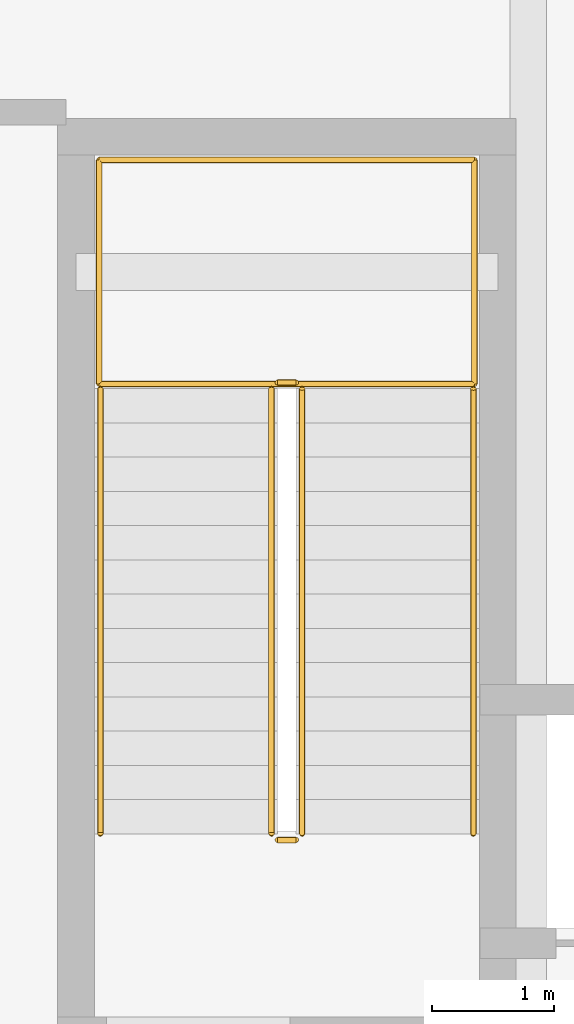
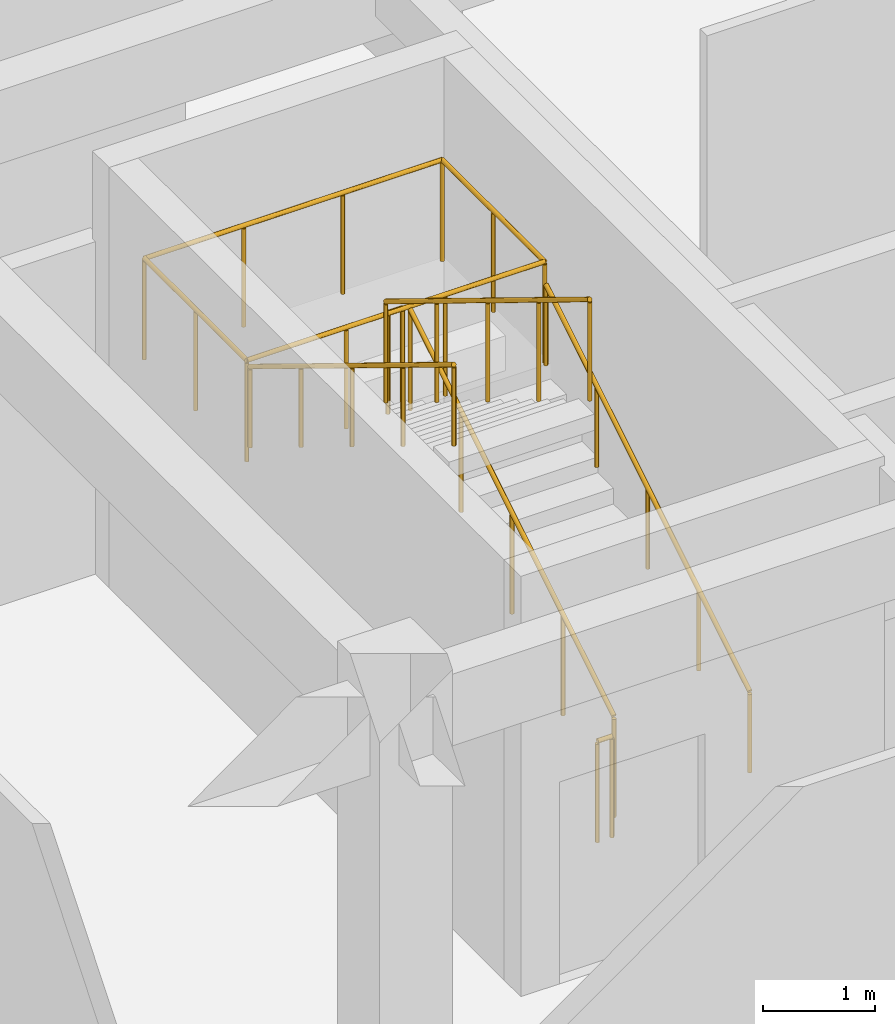
# One storey, part 67 of 68: 8 railings.
"""IFC4 building model written with IfcOpenShell, lengths in metres."""

from ifc_helpers import new_model, si_unit, direction, frame, origin, origin_2d, place, context, subcontext, project, spatial, circle, extrude, material, type_object, element, save


model = new_model("IFC4")

# Units and contexts
model_context = context("Model", 3, precision=1e-05, world=origin(), true_north=direction((0.0, 1.0)))
body_context = subcontext(model_context, "Body", "Model", "MODEL_VIEW")
ifc_project = project(units=[si_unit("LENGTHUNIT", "METRE"), si_unit("AREAUNIT", "SQUARE_METRE"), si_unit("VOLUMEUNIT", "CUBIC_METRE"), si_unit("PLANEANGLEUNIT", "RADIAN"), si_unit("MASSUNIT", "GRAM", prefix="KILO")], contexts=[model_context])

# Site, building, storey
site_placement = place(None, origin())
site = spatial("IfcSite", under=ifc_project, at=site_placement, CompositionType="ELEMENT")
building_placement = place(site_placement, origin())
building = spatial("IfcBuilding", under=site, at=building_placement, Name="Miralva Faculty of Natural Sciences", CompositionType="ELEMENT")
storey_placement = place(building_placement, frame((0.0, 0.0, 5.39990234375)))
storey = spatial("IfcBuildingStorey", under=building, at=storey_placement, Name="L01", CompositionType="ELEMENT", Elevation=5.39990234375)

# Railings
ifc_material = material(Name="Steel S355", Category="steel")
railing_type_1 = type_object("IfcRailingType", Name="RL-GR01", PredefinedType="GUARDRAIL", material=ifc_material)
railing_1_placement = place(storey_placement, frame((148.89990234375, 48.10009765625, 0.171630859375)))
element("IfcRailing", 1, at=railing_1_placement, inside=storey, type_object=railing_type_1, Name="Stair Core C4 safety guard L01-1", PredefinedType="GUARDRAIL", context=body_context, shape_type="SweptSolid", body=[
    extrude(circle(Radius=0.02392578125, at=origin_2d()), frame((0.0, 0.0, 1.09619140625), z_axis=(0.0, 0.852850264322, 0.5221555579), x_axis=(-1.0, 0.0, 0.0)), (0.0, 0.0, 1.0), 4.267822265625),
    extrude(circle(Radius=0.02099609375, at=origin_2d()), origin(), (0.0, 0.0, 1.0), 1.072021484375),
    extrude(circle(Radius=0.02099609375, at=origin_2d()), frame((0.0, 0.909912109375, 0.55712890625)), (0.0, 0.0, 1.0), 1.072021484375),
    extrude(circle(Radius=0.02099609375, at=origin_2d()), frame((0.0, 1.81982421875, 1.1142578125)), (0.0, 0.0, 1.0), 1.072021484375),
    extrude(circle(Radius=0.02099609375, at=origin_2d()), frame((0.0, 2.72998046875, 1.67138671875)), (0.0, 0.0, 1.0), 1.072021484375),
    extrude(circle(Radius=0.02099609375, at=origin_2d()), frame((0.0, 3.639892578125, 2.228515625)), (0.0, 0.0, 1.0), 1.072021484375),
])
railing_2_placement = place(storey_placement, frame((148.85009765625, 51.7900390625, 2.400146484375)))
element("IfcRailing", 2, at=railing_2_placement, inside=storey, type_object=railing_type_1, Name="Stair Core C4 safety guard L01-2", PredefinedType="GUARDRAIL", context=body_context, shape_type="SweptSolid", body=[
    extrude(circle(Radius=0.02392578125, at=origin_2d()), frame((0.0, 0.0, 1.09619140625), z_axis=(-1.0, 0.0, 0.0), x_axis=(0.0, -1.0, 0.0)), (0.0, 0.0, 1.0), 0.150146484375),
    extrude(circle(Radius=0.02099609375, at=origin_2d()), origin(), (0.0, 0.0, 1.0), 1.072021484375),
    extrude(circle(Radius=0.02099609375, at=origin_2d()), frame((-0.150146484375, 0.0, 0.0)), (0.0, 0.0, 1.0), 1.072021484375),
])
railing_3_placement = place(storey_placement, frame((148.64990234375, 51.739990234375, 2.571533203125)))
element("IfcRailing", 3, at=railing_3_placement, inside=storey, type_object=railing_type_1, Name="Stair Core C4 safety guard L01-3", PredefinedType="GUARDRAIL", context=body_context, shape_type="SweptSolid", body=[
    extrude(circle(Radius=0.02392578125, at=origin_2d()), frame((0.0, 0.0, 1.09619140625), z_axis=(0.0, -0.852850264322, 0.5221555579), x_axis=(1.0, 0.0, 0.0)), (0.0, 0.0, 1.0), 4.267822265625),
    extrude(circle(Radius=0.02099609375, at=origin_2d()), origin(), (0.0, 0.0, 1.0), 1.072021484375),
    extrude(circle(Radius=0.02099609375, at=origin_2d()), frame((0.0, -0.909912109375, 0.55712890625)), (0.0, 0.0, 1.0), 1.072021484375),
    extrude(circle(Radius=0.02099609375, at=origin_2d()), frame((0.0, -1.81982421875, 1.1142578125)), (0.0, 0.0, 1.0), 1.072021484375),
    extrude(circle(Radius=0.02099609375, at=origin_2d()), frame((0.0, -2.72998046875, 1.67138671875)), (0.0, 0.0, 1.0), 1.072021484375),
    extrude(circle(Radius=0.02099609375, at=origin_2d()), frame((0.0, -3.639892578125, 2.228515625)), (0.0, 0.0, 1.0), 1.072021484375),
])
railing_4_placement = place(storey_placement, frame((148.85009765625, 48.050048828125, 0.0)))
element("IfcRailing", 4, at=railing_4_placement, inside=storey, type_object=railing_type_1, Name="Stair Core C4 safety guard L01-4", PredefinedType="GUARDRAIL", context=body_context, shape_type="SweptSolid", body=[
    extrude(circle(Radius=0.02392578125, at=origin_2d()), frame((0.0, 0.0, 1.09619140625), z_axis=(-1.0, 0.0, 0.0), x_axis=(0.0, -1.0, 0.0)), (0.0, 0.0, 1.0), 0.150146484375),
    extrude(circle(Radius=0.02099609375, at=origin_2d()), origin(), (0.0, 0.0, 1.0), 1.072021484375),
    extrude(circle(Radius=0.02099609375, at=origin_2d()), frame((-0.150146484375, 0.0, 0.0)), (0.0, 0.0, 1.0), 1.072021484375),
])
railing_5_placement = place(storey_placement, frame((147.239990234375, 51.780029296875, 2.400146484375)))
element("IfcRailing", 5, at=railing_5_placement, inside=storey, type_object=railing_type_1, Name="Stair Core C4 half-landing guard L01-1A", PredefinedType="GUARDRAIL", context=body_context, shape_type="SweptSolid", body=[
    extrude(circle(Radius=0.02392578125, at=origin_2d()), frame((0.0, 0.0, 1.09619140625), z_axis=(0.0, 1.0, 0.0), x_axis=(-1.0, 0.0, 0.0)), (0.0, 0.0, 1.0), 1.830078125),
    extrude(circle(Radius=0.02392578125, at=origin_2d()), frame((0.0, 1.830078125, 1.09619140625), z_axis=(1.0, 0.0, 0.0), x_axis=(0.0, 1.0, 0.0)), (0.0, 0.0, 1.0), 3.070068359375),
    extrude(circle(Radius=0.02099609375, at=origin_2d()), origin(), (0.0, 0.0, 1.0), 1.072021484375),
    extrude(circle(Radius=0.02099609375, at=origin_2d()), frame((0.0, 0.9150390625, 0.0)), (0.0, 0.0, 1.0), 1.072021484375),
    extrude(circle(Radius=0.02099609375, at=origin_2d()), frame((0.0, 1.830078125, 0.0)), (0.0, 0.0, 1.0), 1.072021484375),
    extrude(circle(Radius=0.02099609375, at=origin_2d()), frame((1.0234375, 1.830078125, 0.0)), (0.0, 0.0, 1.0), 1.072021484375),
    extrude(circle(Radius=0.02099609375, at=origin_2d()), frame((2.046630859375, 1.830078125, 0.0)), (0.0, 0.0, 1.0), 1.072021484375),
    extrude(circle(Radius=0.02099609375, at=origin_2d()), frame((3.070068359375, 1.830078125, 0.0)), (0.0, 0.0, 1.0), 1.072021484375),
])
railing_6_placement = place(storey_placement, frame((150.31005859375, 53.610107421875, 2.400146484375)))
element("IfcRailing", 6, at=railing_6_placement, inside=storey, type_object=railing_type_1, Name="Stair Core C4 half-landing guard L01-1B", PredefinedType="GUARDRAIL", context=body_context, shape_type="SweptSolid", body=[
    extrude(circle(Radius=0.02392578125, at=origin_2d()), frame((0.0, 0.0, 1.09619140625), z_axis=(0.0, -1.0, 0.0), x_axis=(1.0, 0.0, 0.0)), (0.0, 0.0, 1.0), 1.830078125),
    extrude(circle(Radius=0.02392578125, at=origin_2d()), frame((0.0, -1.830078125, 1.09619140625), z_axis=(-1.0, 0.0, 0.0), x_axis=(0.0, -1.0, 0.0)), (0.0, 0.0, 1.0), 3.070068359375),
    extrude(circle(Radius=0.02099609375, at=origin_2d()), origin(), (0.0, 0.0, 1.0), 1.072021484375),
    extrude(circle(Radius=0.02099609375, at=origin_2d()), frame((0.0, -0.9150390625, 0.0)), (0.0, 0.0, 1.0), 1.072021484375),
    extrude(circle(Radius=0.02099609375, at=origin_2d()), frame((0.0, -1.830078125, 0.0)), (0.0, 0.0, 1.0), 1.072021484375),
    extrude(circle(Radius=0.02099609375, at=origin_2d()), frame((-1.0234375, -1.830078125, 0.0)), (0.0, 0.0, 1.0), 1.072021484375),
    extrude(circle(Radius=0.02099609375, at=origin_2d()), frame((-2.046630859375, -1.830078125, 0.0)), (0.0, 0.0, 1.0), 1.072021484375),
    extrude(circle(Radius=0.02099609375, at=origin_2d()), frame((-3.070068359375, -1.830078125, 0.0)), (0.0, 0.0, 1.0), 1.072021484375),
])
railing_type_2 = type_object("IfcRailingType", Name="RL-HR01", PredefinedType="HANDRAIL", material=ifc_material)
railing_7_placement = place(storey_placement, frame((150.300048828125, 48.10009765625, 0.171630859375)))
element("IfcRailing", 7, at=railing_7_placement, inside=storey, type_object=railing_type_2, Name="Stair Core C4 handrail L01-1", PredefinedType="HANDRAIL", context=body_context, shape_type="SweptSolid", body=[
    extrude(circle(Radius=0.02392578125, at=origin_2d()), frame((0.0, 0.0, 0.8759765625), z_axis=(0.0, 0.852850264322, 0.5221555579), x_axis=(-1.0, 0.0, 0.0)), (0.0, 0.0, 1.0), 4.267822265625),
    extrude(circle(Radius=0.02099609375, at=origin_2d()), origin(), (0.0, 0.0, 1.0), 0.851806640625),
    extrude(circle(Radius=0.02099609375, at=origin_2d()), frame((0.0, 0.909912109375, 0.55712890625)), (0.0, 0.0, 1.0), 0.851806640625),
    extrude(circle(Radius=0.02099609375, at=origin_2d()), frame((0.0, 1.81982421875, 1.1142578125)), (0.0, 0.0, 1.0), 0.851806640625),
    extrude(circle(Radius=0.02099609375, at=origin_2d()), frame((0.0, 2.72998046875, 1.67138671875)), (0.0, 0.0, 1.0), 0.851806640625),
    extrude(circle(Radius=0.02099609375, at=origin_2d()), frame((0.0, 3.639892578125, 2.228515625)), (0.0, 0.0, 1.0), 0.851806640625),
])
railing_8_placement = place(storey_placement, frame((147.25, 51.739990234375, 2.571533203125)))
element("IfcRailing", 8, at=railing_8_placement, inside=storey, type_object=railing_type_2, Name="Stair Core C4 handrail L01-2", PredefinedType="HANDRAIL", context=body_context, shape_type="SweptSolid", body=[
    extrude(circle(Radius=0.02392578125, at=origin_2d()), frame((0.0, 0.0, 0.8759765625), z_axis=(0.0, -0.852850264322, 0.5221555579), x_axis=(1.0, 0.0, 0.0)), (0.0, 0.0, 1.0), 4.267822265625),
    extrude(circle(Radius=0.02099609375, at=origin_2d()), origin(), (0.0, 0.0, 1.0), 0.851806640625),
    extrude(circle(Radius=0.02099609375, at=origin_2d()), frame((0.0, -0.909912109375, 0.55712890625)), (0.0, 0.0, 1.0), 0.851806640625),
    extrude(circle(Radius=0.02099609375, at=origin_2d()), frame((0.0, -1.81982421875, 1.1142578125)), (0.0, 0.0, 1.0), 0.851806640625),
    extrude(circle(Radius=0.02099609375, at=origin_2d()), frame((0.0, -2.72998046875, 1.67138671875)), (0.0, 0.0, 1.0), 0.851806640625),
    extrude(circle(Radius=0.02099609375, at=origin_2d()), frame((0.0, -3.639892578125, 2.228515625)), (0.0, 0.0, 1.0), 0.851806640625),
])

save(model, "model.ifc")
